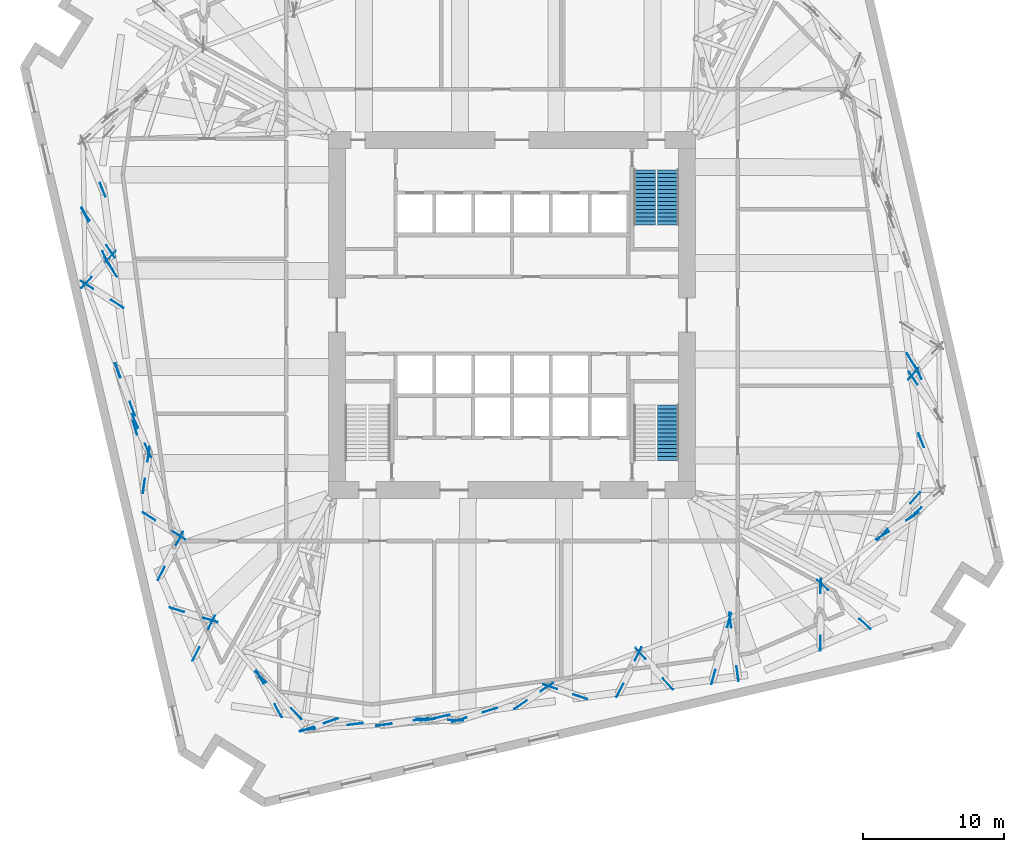
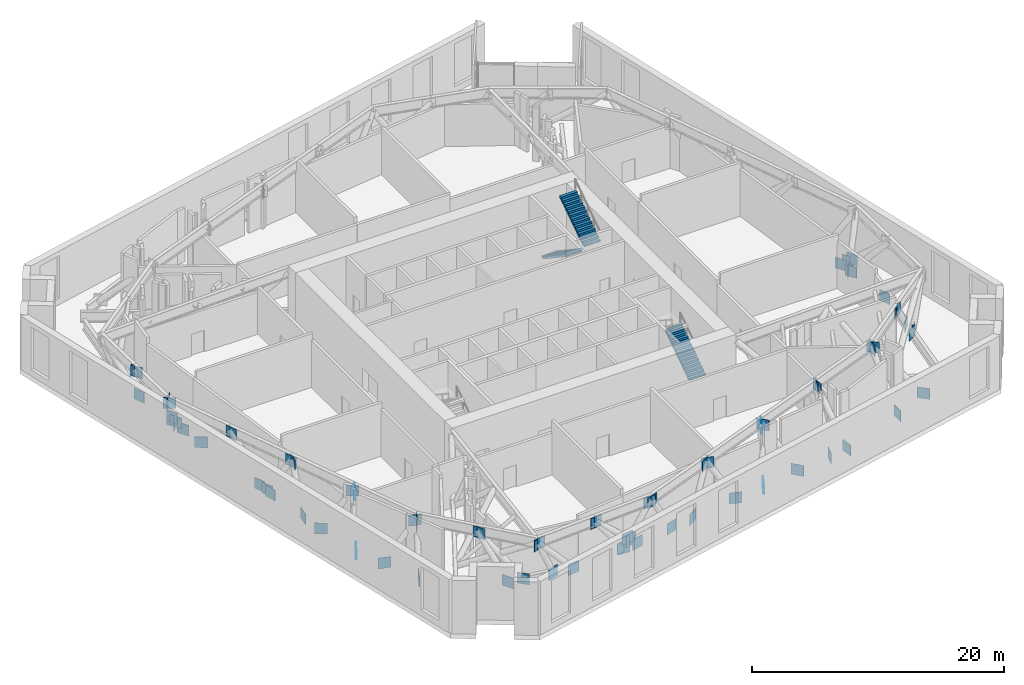
# One storey, part 13 of 17: 72 discrete accessories, 3 stair flights, 2 elements without a shape of their own.
"""IFC4 building model written with IfcOpenShell, lengths in metres."""

from ifc_helpers import new_model, si_unit, direction, frame, origin, origin_2d, place, context, subcontext, project, spatial, polyline, rectangle, outline, extrude, material, layer, layer_set, type_object, element, aggregate, save


model = new_model("IFC4")

# Units and contexts
model_context = context("Model", 3, precision=1e-05, world=origin(), true_north=direction((0.0, 1.0)))
body_context = subcontext(model_context, "Body", "Model", "MODEL_VIEW")
ifc_project = project(units=[si_unit("LENGTHUNIT", "METRE"), si_unit("AREAUNIT", "SQUARE_METRE"), si_unit("VOLUMEUNIT", "CUBIC_METRE"), si_unit("PLANEANGLEUNIT", "RADIAN"), si_unit("MASSUNIT", "GRAM", prefix="KILO")], contexts=[model_context])

# Site, building, storey
site_placement = place(None, origin())
site = spatial("IfcSite", under=ifc_project, at=site_placement, CompositionType="ELEMENT")
building_placement = place(site_placement, origin())
building = spatial("IfcBuilding", under=site, at=building_placement, Name="Dilmun Exchange Tower", CompositionType="ELEMENT")
storey_placement = place(building_placement, frame((0.0, 0.0, 76.5)))
storey = spatial("IfcBuildingStorey", under=building, at=storey_placement, Name="L17", CompositionType="ELEMENT", Elevation=76.5)

# Stair, stair flights
ifc_material_1 = material(Name="Concrete C40/50", Category="concrete")
stair_type = type_object("IfcStairType", Name="Exit stair 1500 half-turn", PredefinedType="HALF_TURN_STAIR", material=ifc_material_1)
stair_1_placement = place(storey_placement, origin())
stair_1 = element("IfcStair", 1, at=stair_1_placement, inside=storey, type_object=stair_type, Name="L17 Protected exit stair ST1", PredefinedType="HALF_TURN_STAIR")
stair_flight_type = type_object("IfcStairFlightType", Name="Exit stair flight 1500", PredefinedType="STRAIGHT", material=ifc_material_1)
stair_flight_1_placement = place(storey_placement, frame((9.39990234375, 10.300048828125, 0.0), z_axis=(0.0, 0.0, 1.0), x_axis=(0.0, -1.0, 0.0)))
stair_flight_1 = element("IfcStairFlight", 2, at=stair_flight_1_placement, type_object=stair_flight_type, Name="ST1 flight 1", NumberOfRisers=15, NumberOfTreads=14, PredefinedType="STRAIGHT", RiserHeight=0.186666667, TreadLength=0.28, context=body_context, shape_type="SweptSolid", body=[
    extrude(outline(polyline([(0.0, 0.0), (0.0, 0.186767578125), (0.280029296875, 0.186767578125), (0.280029296875, 0.373291015625), (0.56005859375, 0.373291015625), (0.56005859375, 0.56005859375), (0.840087890625, 0.56005859375), (0.840087890625, 0.74658203125), (1.1201171875, 0.74658203125), (1.1201171875, 0.933349609375), (1.39990234375, 0.933349609375), (1.39990234375, 1.1201171875), (1.679931640625, 1.1201171875), (1.679931640625, 1.306640625), (1.9599609375, 1.306640625), (1.9599609375, 1.493408203125), (2.239990234375, 1.493408203125), (2.239990234375, 1.679931640625), (2.52001953125, 1.679931640625), (2.52001953125, 1.86669921875), (2.800048828125, 1.86669921875), (2.800048828125, 2.05322265625), (3.080078125, 2.05322265625), (3.080078125, 2.239990234375), (3.360107421875, 2.239990234375), (3.360107421875, 2.4267578125), (3.639892578125, 2.4267578125), (3.639892578125, 2.61328125), (3.919921875, 2.61328125), (3.919921875, 2.800048828125), (3.919921875, 2.43310546875), (0.270263671875, 0.0), (0.0, 0.0)])), frame((0.0, 0.75, 0.0), z_axis=(0.0, -1.0, 0.0), x_axis=(1.0, 0.0, 0.0)), (0.0, 0.0, 1.0), 1.5),
])
stair_flight_2_placement = place(storey_placement, frame((11.050048828125, 6.3798828125, 2.800048828125), z_axis=(0.0, 0.0, 1.0), x_axis=(0.0, 1.0, 0.0)))
stair_flight_2 = element("IfcStairFlight", 3, at=stair_flight_2_placement, type_object=stair_flight_type, Name="ST1 flight 2", NumberOfRisers=15, NumberOfTreads=14, PredefinedType="STRAIGHT", RiserHeight=0.186666667, TreadLength=0.28, context=body_context, shape_type="SweptSolid", body=[
    extrude(outline(polyline([(0.0, 0.0), (0.0, 0.186767578125), (0.280029296875, 0.186767578125), (0.280029296875, 0.373291015625), (0.56005859375, 0.373291015625), (0.56005859375, 0.56005859375), (0.840087890625, 0.56005859375), (0.840087890625, 0.74658203125), (1.1201171875, 0.74658203125), (1.1201171875, 0.933349609375), (1.39990234375, 0.933349609375), (1.39990234375, 1.1201171875), (1.679931640625, 1.1201171875), (1.679931640625, 1.306640625), (1.9599609375, 1.306640625), (1.9599609375, 1.493408203125), (2.239990234375, 1.493408203125), (2.239990234375, 1.679931640625), (2.52001953125, 1.679931640625), (2.52001953125, 1.86669921875), (2.800048828125, 1.86669921875), (2.800048828125, 2.05322265625), (3.080078125, 2.05322265625), (3.080078125, 2.239990234375), (3.360107421875, 2.239990234375), (3.360107421875, 2.4267578125), (3.639892578125, 2.4267578125), (3.639892578125, 2.61328125), (3.919921875, 2.61328125), (3.919921875, 2.800048828125), (3.919921875, 2.43310546875), (0.270263671875, 0.0), (0.0, 0.0)])), frame((0.0, 0.75, 0.0), z_axis=(0.0, -1.0, 0.0), x_axis=(1.0, 0.0, 0.0)), (0.0, 0.0, 1.0), 1.5),
])
aggregate(stair_1, [stair_flight_1, stair_flight_2])

# Stair, stair flight
stair_2_placement = place(storey_placement, origin())
stair_2 = element("IfcStair", 4, at=stair_2_placement, inside=storey, type_object=stair_type, Name="L17 Protected exit stair ST3", PredefinedType="HALF_TURN_STAIR")
stair_flight_3_placement = place(storey_placement, frame((11.050048828125, -10.300048828125, 0.0), z_axis=(0.0, 0.0, 1.0), x_axis=(0.0, 1.0, 0.0)))
stair_flight_3 = element("IfcStairFlight", 5, at=stair_flight_3_placement, type_object=stair_flight_type, Name="ST3 flight 1", NumberOfRisers=15, NumberOfTreads=14, PredefinedType="STRAIGHT", RiserHeight=0.186666667, TreadLength=0.28, context=body_context, shape_type="SweptSolid", body=[
    extrude(outline(polyline([(0.0, 0.0), (0.0, 0.186767578125), (0.280029296875, 0.186767578125), (0.280029296875, 0.373291015625), (0.56005859375, 0.373291015625), (0.56005859375, 0.56005859375), (0.840087890625, 0.56005859375), (0.840087890625, 0.74658203125), (1.1201171875, 0.74658203125), (1.1201171875, 0.933349609375), (1.39990234375, 0.933349609375), (1.39990234375, 1.1201171875), (1.679931640625, 1.1201171875), (1.679931640625, 1.306640625), (1.9599609375, 1.306640625), (1.9599609375, 1.493408203125), (2.239990234375, 1.493408203125), (2.239990234375, 1.679931640625), (2.52001953125, 1.679931640625), (2.52001953125, 1.86669921875), (2.800048828125, 1.86669921875), (2.800048828125, 2.05322265625), (3.080078125, 2.05322265625), (3.080078125, 2.239990234375), (3.360107421875, 2.239990234375), (3.360107421875, 2.4267578125), (3.639892578125, 2.4267578125), (3.639892578125, 2.61328125), (3.919921875, 2.61328125), (3.919921875, 2.800048828125), (3.919921875, 2.43310546875), (0.270263671875, 0.0), (0.0, 0.0)])), frame((0.0, 0.75, 0.0), z_axis=(0.0, -1.0, 0.0), x_axis=(1.0, 0.0, 0.0)), (0.0, 0.0, 1.0), 1.5),
])
aggregate(stair_2, [stair_flight_3])

# Discrete accessories
ifc_material_2 = material(Name="Steel S355J2", Category="steel")
ifc_layer = layer(ifc_material_2, 0.0400390625)
ifc_layer_set = layer_set([ifc_layer], Name="Steel S355J2")
discrete_accessory_type = type_object("IfcDiscreteAccessoryType", Name="Gusset plate 40 x 1050 x 1050", PredefinedType="BRACKET", material=ifc_layer_set)
for number, where, z_axis, x_axis, name in (
    (6, (-28.992919921875, 8.87353515625, 0.16552734375), (0.0, 0.0, 1.0), (0.371910644056, -0.928268534875, 0.0), "Gusset plate L17-DG17 end 2"),
    (7, (-30.2177734375, 7.150390625, 3.9501953125), (0.0, 0.0, 1.0), (0.560513252401, -0.828145454545, 0.0), "Gusset plate L17-DG19 end 1"),
    (8, (-28.43603515625, 4.51806640625, 0.17578125), (0.0, 0.0, 1.0), (0.560513252401, -0.828145454545, 0.0), "Gusset plate L17-DG19 end 2"),
    (9, (-30.228759765625, 7.11328125, 3.9765625), (0.0, 0.0, 1.0), (0.426975968223, -0.904262972017, 0.0), "Gusset plate L17-DG20 end 1"),
    (10, (-28.78466796875, 4.0546875, 0.966796875), (0.0, 0.0, 1.0), (0.426975968223, -0.904262972017, 0.0), "Gusset plate L17-DG20 end 2"),
    (11, (-28.592529296875, 3.70166015625, 0.63037109375), (0.0, 0.0, 1.0), (0.525029066255, -0.851084296405, 0.0), "Gusset plate L17-DG20B end 1"),
    (12, (-28.26220703125, 3.16650390625, 0.13720703125), (0.0, 0.0, 1.0), (0.525029066255, -0.851084296405, 0.0), "Gusset plate L17-DG20B end 2"),
    (13, (-30.106689453125, 2.132080078125, 3.93310546875), (0.0, 0.0, 1.0), (0.847324974437, -0.531074747747, 0.0), "Gusset plate L17-DG21 end 1"),
    (14, (-27.970947265625, 0.79345703125, 0.19287109375), (0.0, 0.0, 1.0), (0.847324974437, -0.531074747747, 0.0), "Gusset plate L17-DG21 end 2"),
    (15, (-30.1318359375, 2.318115234375, 3.93310546875), (0.0, 0.0, 1.0), (0.676124048909, 0.736787805604, 0.0), "Gusset plate L17-DG22 end 1"),
    (16, (-28.427734375, 4.175048828125, 0.19287109375), (0.0, 0.0, 1.0), (0.676124048909, 0.736787805604, 0.0), "Gusset plate L17-DG22 end 2"),
    (17, (-27.921630859375, -3.90380859375, 3.943359375), (0.0, 0.0, 1.0), (0.353796456472, -0.935322440332, 0.0), "Gusset plate L17-DG23 end 1"),
    (18, (-26.8916015625, -6.627197265625, 0.1826171875), (0.0, 0.0, 1.0), (0.353796456472, -0.935322440332, 0.0), "Gusset plate L17-DG23 end 2"),
    (19, (-27.92236328125, -3.939697265625, 3.974609375), (0.0, 0.0, 1.0), (0.288909823445, -0.957356315024, 0.0), "Gusset plate L17-DG24 end 1"),
    (20, (-26.703369140625, -7.978759765625, 0.1513671875), (0.0, 0.0, 1.0), (0.288909823445, -0.957356315024, 0.0), "Gusset plate L17-DG24 end 2"),
    (21, (-25.745849609375, -9.852294921875, 3.9267578125), (0.0, 0.0, 1.0), (-0.145407891676, -0.989371793128, 0.0), "Gusset plate L17-DG25 end 1"),
    (22, (-26.076904296875, -12.10400390625, 0.19921875), (0.0, 0.0, 1.0), (-0.145407891676, -0.989371793128, 0.0), "Gusset plate L17-DG25 end 2"),
    (23, (-25.781005859375, -9.591796875, 3.9267578125), (0.0, 0.0, 1.0), (-0.402757872468, 0.915306558572, 0.0), "Gusset plate L17-DG26 end 1"),
    (24, (-26.69775390625, -7.5087890625, 0.19921875), (0.0, 0.0, 1.0), (-0.402757872468, 0.915306558572, 0.0), "Gusset plate L17-DG26 end 2"),
    (25, (-23.546142578125, -15.820556640625, 3.94091796875), (0.0, 0.0, 1.0), (-0.461598438401, -0.887088993092, 0.0), "Gusset plate L17-DG27 end 1"),
    (26, (-24.843017578125, -18.312744140625, 0.18505859375), (0.0, 0.0, 1.0), (-0.461598438401, -0.887088993092, 0.0), "Gusset plate L17-DG27 end 2"),
    (27, (-23.5966796875, -15.602783203125, 3.93310546875), (0.0, 0.0, 1.0), (-0.844427976555, 0.535669107202, 0.0), "Gusset plate L17-DG28 end 1"),
    (28, (-25.710693359375, -14.26171875, 0.19287109375), (0.0, 0.0, 1.0), (-0.844427976555, 0.535669107202, 0.0), "Gusset plate L17-DG28 end 2"),
    (29, (-21.285400390625, -21.775390625, 3.9326171875), (0.0, 0.0, 1.0), (-0.44179710762, -0.897114995805, 0.0), "Gusset plate L17-DG29 end 1"),
    (30, (-22.38525390625, -24.009033203125, 0.193359375), (0.0, 0.0, 1.0), (-0.44179710762, -0.897114995805, 0.0), "Gusset plate L17-DG29 end 2"),
    (31, (-21.360107421875, -21.602783203125, 3.9326171875), (0.0, 0.0, 1.0), (-0.956818657622, 0.290685494007, 0.0), "Gusset plate L17-DG30 end 1"),
    (32, (-23.742431640625, -20.87890625, 0.193359375), (0.0, 0.0, 1.0), (-0.956818657622, 0.290685494007, 0.0), "Gusset plate L17-DG30 end 2"),
    (33, (-17.797119140625, -25.64013671875, 3.9609375), (0.0, 0.0, 1.0), (0.69852020396, -0.715590332984, 0.0), "Gusset plate L17-DG31 end 1"),
    (34, (-15.271484375, -28.227294921875, 0.1650390625), (0.0, 0.0, 1.0), (0.69852020396, -0.715590332984, 0.0), "Gusset plate L17-DG31 end 2"),
    (35, (-17.85009765625, -25.645751953125, 3.9384765625), (0.0, 0.0, 1.0), (0.476931738212, -0.878940337615, 0.0), "Gusset plate L17-DG32 end 1"),
    (36, (-16.55517578125, -28.0322265625, 0.1875), (0.0, 0.0, 1.0), (0.476931738212, -0.878940337615, 0.0), "Gusset plate L17-DG32 end 2"),
    (37, (-14.45263671875, -29.356201171875, 3.955078125), (0.0, 0.0, 1.0), (0.993490594777, 0.113914169833, 0.0), "Gusset plate L17-DG33 end 1"),
    (38, (-11.1083984375, -28.97265625, 0.1708984375), (0.0, 0.0, 1.0), (0.993490594777, 0.113914169833, 0.0), "Gusset plate L17-DG33 end 2"),
    (39, (-14.517822265625, -29.337890625, 3.9150390625), (0.0, 0.0, 1.0), (0.94307589417, 0.332577596714, 0.0), "Gusset plate L17-DG34 end 1"),
    (40, (-12.82080078125, -28.739501953125, 0.2109375), (0.0, 0.0, 1.0), (0.94307589417, 0.332577596714, 0.0), "Gusset plate L17-DG34 end 2"),
    (41, (-9.0830078125, -29.0224609375, 3.94140625), (0.0, 0.0, 1.0), (0.989798871459, 0.142471730735, 0.0), "Gusset plate L17-DG35 end 1"),
    (42, (-6.426513671875, -28.64013671875, 0.380859375), (0.0, 0.0, 1.0), (0.989798871459, 0.142471730735, 0.0), "Gusset plate L17-DG35 end 2"),
    (43, (-9.0478515625, -29.022216796875, 3.97314453125), (0.0, 0.0, 1.0), (0.993049160293, 0.117700319629, 0.0), "Gusset plate L17-DG36 end 1"),
    (44, (-5.985595703125, -28.6591796875, 1.13330078125), (0.0, 0.0, 1.0), (0.993049160293, 0.117700319629, 0.0), "Gusset plate L17-DG36 end 2"),
    (45, (-5.60400390625, -28.59228515625, 0.779296875), (0.0, 0.0, 1.0), (0.973791701302, 0.227441690274, 0.0), "Gusset plate L17-DG36B end 1"),
    (46, (-4.926513671875, -28.43408203125, 0.15087890625), (0.0, 0.0, 1.0), (0.973791701302, 0.227441690274, 0.0), "Gusset plate L17-DG36B end 2"),
    (47, (-3.72314453125, -28.672607421875, 3.9267578125), (0.0, 0.0, 1.0), (0.952856029879, 0.303422784779, 0.0), "Gusset plate L17-DG37 end 1"),
    (48, (-1.564208984375, -27.985107421875, 0.19921875), (0.0, 0.0, 1.0), (0.952856029879, 0.303422784779, 0.0), "Gusset plate L17-DG37 end 2"),
    (49, (-3.9892578125, -28.70849609375, 3.9267578125), (0.0, 0.0, 1.0), (-0.999206467039, 0.039830091993, 0.0), "Gusset plate L17-DG38 end 1"),
    (50, (-6.253173828125, -28.618408203125, 0.19921875), (0.0, 0.0, 1.0), (-0.999206467039, 0.039830091993, 0.0), "Gusset plate L17-DG38 end 2"),
    (51, (2.70654296875, -26.327392578125, 3.92578125), (0.0, 0.0, 1.0), (0.94825551582, -0.317508230945, 0.0), "Gusset plate L17-DG39 end 1"),
    (52, (4.828369140625, -27.037841796875, 0.2001953125), (0.0, 0.0, 1.0), (0.94825551582, -0.317508230945, 0.0), "Gusset plate L17-DG39 end 2"),
    (53, (2.46630859375, -26.35986328125, 3.92578125), (0.0, 0.0, 1.0), (-0.830063874333, -0.557668328423, 0.0), "Gusset plate L17-DG40 end 1"),
    (54, (0.609130859375, -27.607666015625, 0.2001953125), (0.0, 0.0, 1.0), (-0.830063874333, -0.557668328423, 0.0), "Gusset plate L17-DG40 end 2"),
    (55, (9.11669921875, -23.97412109375, 3.94287109375), (0.0, 0.0, 1.0), (0.667067051257, -0.744997683975, 0.0), "Gusset plate L17-DG41 end 1"),
    (56, (11.04248046875, -26.125, 0.18310546875), (0.0, 0.0, 1.0), (0.667067051257, -0.744997683975, 0.0), "Gusset plate L17-DG41 end 2"),
    (57, (8.938720703125, -23.998046875, 3.94287109375), (0.0, 0.0, 1.0), (-0.445466669347, -0.895298523679, 0.0), "Gusset plate L17-DG42 end 1"),
    (58, (7.652587890625, -26.5830078125, 0.18310546875), (0.0, 0.0, 1.0), (-0.445466669347, -0.895298523679, 0.0), "Gusset plate L17-DG42 end 2"),
    (59, (15.46630859375, -21.610107421875, 3.9658203125), (0.0, 0.0, 1.0), (0.133891057243, -0.9909960569, 0.0), "Gusset plate L17-DG43 end 1"),
    (60, (15.97900390625, -25.403564453125, 0.16015625), (0.0, 0.0, 1.0), (0.133891057243, -0.9909960569, 0.0), "Gusset plate L17-DG43 end 2"),
    (61, (15.3896484375, -21.6123046875, 3.9736328125), (0.0, 0.0, 1.0), (-0.2672736948, -0.963620657763, 0.0), "Gusset plate L17-DG44 end 1"),
    (62, (14.27197265625, -25.642333984375, 0.15185546875), (0.0, 0.0, 1.0), (-0.2672736948, -0.963620657763, 0.0), "Gusset plate L17-DG44 end 2"),
    (63, (22.013671875, -19.125732421875, 3.97119140625), (0.0, 0.0, 1.0), (0.734894473424, -0.678181474925, 0.0), "Gusset plate L17-DG45 end 1"),
    (64, (25.0029296875, -21.884521484375, 0.15478515625), (0.0, 0.0, 1.0), (0.734894473424, -0.678181474925, 0.0), "Gusset plate L17-DG45 end 2"),
    (65, (21.87158203125, -19.1875, 3.97119140625), (0.0, 0.0, 1.0), (-0.007257015331, -0.999973667518, 0.0), "Gusset plate L17-DG46 end 1"),
    (66, (21.842041015625, -23.2548828125, 0.15478515625), (0.0, 0.0, 1.0), (-0.007257015331, -0.999973667518, 0.0), "Gusset plate L17-DG46 end 2"),
    (67, (26.251708984375, -15.55078125, 3.9580078125), (0.0, 0.0, 1.0), (0.664659389629, 0.747146502219, 0.0), "Gusset plate L17-DG47 end 1"),
    (68, (28.56884765625, -12.94580078125, 0.16796875), (0.0, 0.0, 1.0), (0.664659389629, 0.747146502219, 0.0), "Gusset plate L17-DG47 end 2"),
    (69, (26.2568359375, -15.60595703125, 3.9326171875), (0.0, 0.0, 1.0), (0.846236875374, 0.532806860651, 0.0), "Gusset plate L17-DG48 end 1"),
    (70, (28.367431640625, -14.27685546875, 0.193359375), (0.0, 0.0, 1.0), (0.846236875374, 0.532806860651, 0.0), "Gusset plate L17-DG48 end 2"),
    (71, (28.992919921875, -8.87353515625, 0.16552734375), (0.0, 0.0, 1.0), (-0.371910644056, 0.928268534875, 0.0), "Gusset plate L17-DG49 end 2"),
    (72, (28.60986328125, -13.982177734375, 0.19921875), (0.0, 0.0, 1.0), (-0.742188764503, -0.67019089657, 0.0), "Gusset plate L17-DG50 end 2"),
    (73, (28.42919921875, -4.47021484375, 0.1748046875), (0.0, 0.0, 1.0), (-0.555327860988, 0.831631509029, 0.0), "Gusset plate L17-DG51 end 2"),
    (74, (28.78466796875, -4.0546875, 0.966796875), (0.0, 0.0, 1.0), (-0.426975968223, 0.904262972017, 0.0), "Gusset plate L17-DG52 end 2"),
    (75, (28.592529296875, -3.70166015625, 0.63037109375), (0.0, 0.0, 1.0), (-0.525029066255, 0.851084296405, 0.0), "Gusset plate L17-DG52B end 1"),
    (76, (28.26220703125, -3.16650390625, 0.13720703125), (0.0, 0.0, 1.0), (-0.525029066255, 0.851084296405, 0.0), "Gusset plate L17-DG52B end 2"),
    (77, (28.427734375, -4.175048828125, 0.19287109375), (0.0, 0.0, 1.0), (-0.676124048909, -0.736787805604, 0.0), "Gusset plate L17-DG54 end 2"),
):
    element("IfcDiscreteAccessory", number, at=place(storey_placement, frame(where, z_axis=z_axis, x_axis=x_axis)), inside=storey, type_object=discrete_accessory_type, Name=name, PredefinedType="BRACKET", context=body_context, shape_type="SweptSolid", body=[
        extrude(rectangle(XDim=1.050048828125, YDim=0.0400390625, at=origin_2d()), origin(), (0.0, 0.0, 1.0), 1.050048828125),
    ])

save(model, "model.ifc")
